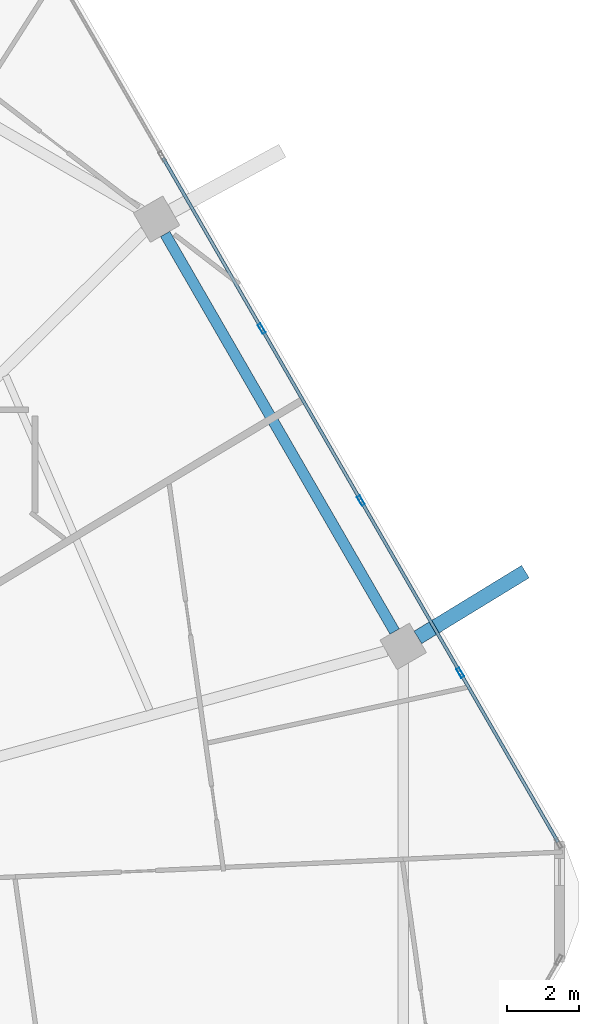
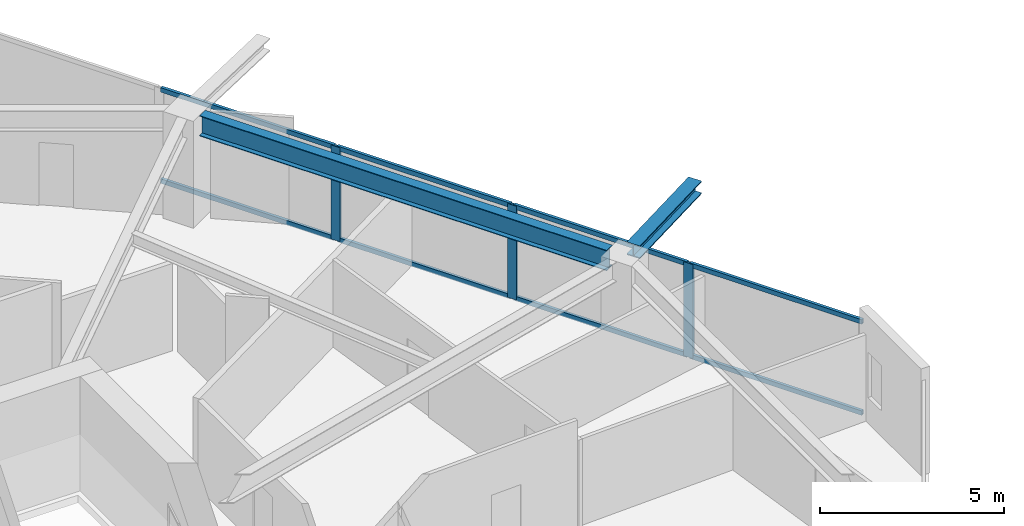
# One storey, part 15 of 25: 11 members, 2 beams, 1 element without a shape of its own.
"""IFC4 building model written with IfcOpenShell, lengths in metres."""

from ifc_helpers import new_model, si_unit, direction, frame, origin, origin_2d, place, context, subcontext, project, spatial, hollow_rectangle, i_section, extrude, material, material_profile, profile_set, type_object, element, aggregate, save


model = new_model("IFC4")

# Units and contexts
model_context = context("Model", 3, precision=1e-05, world=origin(), true_north=direction((0.0, 1.0)))
body_context = subcontext(model_context, "Body", "Model", "MODEL_VIEW")
ifc_project = project(units=[si_unit("LENGTHUNIT", "METRE"), si_unit("AREAUNIT", "SQUARE_METRE"), si_unit("VOLUMEUNIT", "CUBIC_METRE"), si_unit("PLANEANGLEUNIT", "RADIAN"), si_unit("MASSUNIT", "GRAM", prefix="KILO")], contexts=[model_context])

# Site, building, storey
site_placement = place(None, origin())
site = spatial("IfcSite", under=ifc_project, at=site_placement, CompositionType="ELEMENT")
building_placement = place(site_placement, origin())
building = spatial("IfcBuilding", under=site, at=building_placement, Name="Zuhravey Tower", CompositionType="ELEMENT")
storey_placement = place(building_placement, frame((0.0, 0.0, 196.0)))
storey = spatial("IfcBuildingStorey", under=building, at=storey_placement, Name="L49", CompositionType="ELEMENT", Elevation=196.0)

# Curtain wall, members
ifc_material_1 = material(Name="Thermally broken anodised aluminium", Category="aluminium")
curtain_wall_type = type_object("IfcCurtainWallType", Name="Zone 1-2 Residential Curtain Wall CW3", PredefinedType="NOTDEFINED", material=ifc_material_1)
curtain_wall_placement = place(storey_placement, origin())
curtain_wall = element("IfcCurtainWall", 1, at=curtain_wall_placement, inside=storey, type_object=curtain_wall_type, Name="L49 CW3 CW-L49-F1-1", PredefinedType="NOTDEFINED")
ifc_material_2 = material(Name="Anodised aluminium", Category="aluminium")
ifc_material_profile_1 = material_profile(ifc_material_2, hollow_rectangle(XDim=0.090087890625, YDim=0.284912109375, WallThickness=0.0048828125, at=origin_2d()), Name="ALU-RHS-90x285x5")
ifc_profile_set_1 = profile_set([ifc_material_profile_1], Name="Anodised aluminium")
member_type_1 = type_object("IfcMemberType", Name="Curtain-Wall Mullion 90x180", PredefinedType="MULLION", material=ifc_profile_set_1)
member_1_placement = place(storey_placement, frame((58.155029296875, 47.992431640625, 0.0), z_axis=(0.0, 0.0, 1.0), x_axis=(0.866025138215, 0.500000459979, 0.0)))
member_1 = element("IfcMember", 2, at=member_1_placement, type_object=member_type_1, Name="CW3 mullion 3", PredefinedType="MULLION", context=body_context, shape_type="SweptSolid", body=[
    extrude(hollow_rectangle(XDim=0.090087890625, YDim=0.284912109375, WallThickness=0.0048828125, at=origin_2d()), origin(), (0.0, 0.0, 1.0), 3.1220703125),
])
member_2_placement = place(storey_placement, frame((60.92724609375, 43.190673828125, 0.0), z_axis=(0.0, 0.0, 1.0), x_axis=(0.866025138215, 0.500000459979, 0.0)))
member_2 = element("IfcMember", 3, at=member_2_placement, type_object=member_type_1, Name="CW3 mullion 4", PredefinedType="MULLION", context=body_context, shape_type="SweptSolid", body=[
    extrude(hollow_rectangle(XDim=0.090087890625, YDim=0.284912109375, WallThickness=0.0048828125, at=origin_2d()), origin(), (0.0, 0.0, 1.0), 3.1220703125),
])
member_3_placement = place(storey_placement, frame((63.699462890625, 38.38916015625, 0.0), z_axis=(0.0, 0.0, 1.0), x_axis=(0.866025138215, 0.500000459979, 0.0)))
member_3 = element("IfcMember", 4, at=member_3_placement, type_object=member_type_1, Name="CW3 mullion 5", PredefinedType="MULLION", context=body_context, shape_type="SweptSolid", body=[
    extrude(hollow_rectangle(XDim=0.090087890625, YDim=0.284912109375, WallThickness=0.0048828125, at=origin_2d()), origin(), (0.0, 0.0, 1.0), 3.1220703125),
])
ifc_material_profile_2 = material_profile(ifc_material_2, hollow_rectangle(XDim=0.090087890625, YDim=0.14990234375, WallThickness=0.0048828125, at=origin_2d()), Name="ALU-RHS-90x150x5")
ifc_profile_set_2 = profile_set([ifc_material_profile_2], Name="Anodised aluminium")
member_type_2 = type_object("IfcMemberType", Name="Curtain-Wall Transom 90x150", PredefinedType="USERDEFINED", material=ifc_profile_set_2)
member_4_placement = place(storey_placement, frame((55.405517578125, 52.755126953125, 0.044921875), z_axis=(0.49996138257, -0.86604769842, 0.0), x_axis=(0.86604769842, 0.49996138257, 0.0)))
member_4 = element("IfcMember", 5, at=member_4_placement, type_object=member_type_2, Name="CW3 transom 2.1", ObjectType="TRANSOM", PredefinedType="USERDEFINED", context=body_context, shape_type="SweptSolid", body=[
    extrude(hollow_rectangle(XDim=0.090087890625, YDim=0.14990234375, WallThickness=0.0048828125, at=origin_2d()), origin(), (0.0, 0.0, 1.0), 5.45458984375),
])
member_5_placement = place(storey_placement, frame((55.405517578125, 52.755126953125, 3.076904296875), z_axis=(0.49996138257, -0.86604769842, 0.0), x_axis=(0.86604769842, 0.49996138257, 0.0)))
member_5 = element("IfcMember", 6, at=member_5_placement, type_object=member_type_2, Name="CW3 transom 2.2", ObjectType="TRANSOM", PredefinedType="USERDEFINED", context=body_context, shape_type="SweptSolid", body=[
    extrude(hollow_rectangle(XDim=0.090087890625, YDim=0.14990234375, WallThickness=0.0048828125, at=origin_2d()), origin(), (0.0, 0.0, 1.0), 5.45458984375),
])
member_6_placement = place(storey_placement, frame((58.177734375, 47.953369140625, 0.044921875), z_axis=(0.499980763544, -0.866036509673, 0.0), x_axis=(0.866036509673, 0.499980763544, 0.0)))
member_6 = element("IfcMember", 7, at=member_6_placement, type_object=member_type_2, Name="CW3 transom 3.1", ObjectType="TRANSOM", PredefinedType="USERDEFINED", context=body_context, shape_type="SweptSolid", body=[
    extrude(hollow_rectangle(XDim=0.090087890625, YDim=0.14990234375, WallThickness=0.0048828125, at=origin_2d()), origin(), (0.0, 0.0, 1.0), 5.454345703125),
])
member_7_placement = place(storey_placement, frame((58.177734375, 47.953369140625, 3.076904296875), z_axis=(0.499980763544, -0.866036509673, 0.0), x_axis=(0.866036509673, 0.499980763544, 0.0)))
member_7 = element("IfcMember", 8, at=member_7_placement, type_object=member_type_2, Name="CW3 transom 3.2", ObjectType="TRANSOM", PredefinedType="USERDEFINED", context=body_context, shape_type="SweptSolid", body=[
    extrude(hollow_rectangle(XDim=0.090087890625, YDim=0.14990234375, WallThickness=0.0048828125, at=origin_2d()), origin(), (0.0, 0.0, 1.0), 5.454345703125),
])
member_8_placement = place(storey_placement, frame((60.949951171875, 43.15185546875, 0.044921875), z_axis=(0.49996138257, -0.86604769842, 0.0), x_axis=(0.86604769842, 0.49996138257, 0.0)))
member_8 = element("IfcMember", 9, at=member_8_placement, type_object=member_type_2, Name="CW3 transom 4.1", ObjectType="TRANSOM", PredefinedType="USERDEFINED", context=body_context, shape_type="SweptSolid", body=[
    extrude(hollow_rectangle(XDim=0.090087890625, YDim=0.14990234375, WallThickness=0.0048828125, at=origin_2d()), origin(), (0.0, 0.0, 1.0), 5.45458984375),
])
member_9_placement = place(storey_placement, frame((60.949951171875, 43.15185546875, 3.076904296875), z_axis=(0.49996138257, -0.86604769842, 0.0), x_axis=(0.86604769842, 0.49996138257, 0.0)))
member_9 = element("IfcMember", 10, at=member_9_placement, type_object=member_type_2, Name="CW3 transom 4.2", ObjectType="TRANSOM", PredefinedType="USERDEFINED", context=body_context, shape_type="SweptSolid", body=[
    extrude(hollow_rectangle(XDim=0.090087890625, YDim=0.14990234375, WallThickness=0.0048828125, at=origin_2d()), origin(), (0.0, 0.0, 1.0), 5.45458984375),
])
member_10_placement = place(storey_placement, frame((63.72216796875, 38.35009765625, 0.044921875), z_axis=(0.499993332629, -0.866029253159, 0.0), x_axis=(0.866029253159, 0.499993332629, 0.0)))
member_10 = element("IfcMember", 11, at=member_10_placement, type_object=member_type_2, Name="CW3 transom 5.1", ObjectType="TRANSOM", PredefinedType="USERDEFINED", context=body_context, shape_type="SweptSolid", body=[
    extrude(hollow_rectangle(XDim=0.090087890625, YDim=0.14990234375, WallThickness=0.0048828125, at=origin_2d()), origin(), (0.0, 0.0, 1.0), 5.4091796875),
])
member_11_placement = place(storey_placement, frame((63.72216796875, 38.35009765625, 3.076904296875), z_axis=(0.499993332629, -0.866029253159, 0.0), x_axis=(0.866029253159, 0.499993332629, 0.0)))
member_11 = element("IfcMember", 12, at=member_11_placement, type_object=member_type_2, Name="CW3 transom 5.2", ObjectType="TRANSOM", PredefinedType="USERDEFINED", context=body_context, shape_type="SweptSolid", body=[
    extrude(hollow_rectangle(XDim=0.090087890625, YDim=0.14990234375, WallThickness=0.0048828125, at=origin_2d()), origin(), (0.0, 0.0, 1.0), 5.4091796875),
])
aggregate(curtain_wall, [member_1, member_2, member_3, member_4, member_5, member_6, member_7, member_8, member_9, member_10, member_11])

# Beams
ifc_material_3 = material(Name="Steel SM460", Category="steel")
ifc_material_profile_3 = material_profile(ifc_material_3, i_section(OverallWidth=0.406982421875, OverallDepth=0.427978515625, WebThickness=0.02001953125, FlangeThickness=0.034912109375, at=origin_2d()), Name="H-428x407x20x35")
ifc_profile_set_3 = profile_set([ifc_material_profile_3], Name="Steel SM460")
beam_type_1 = type_object("IfcBeamType", Name="Exoskeleton Node Tie Beam H428x407", PredefinedType="BEAM", material=ifc_profile_set_3)
beam_1_placement = place(storey_placement, frame((62.516357421875, 39.37646484375, 3.3359375), z_axis=(0.853163418455, 0.521643730347, 0.0), x_axis=(-0.521643730347, 0.853163418455, 0.0)))
element("IfcBeam", 13, at=beam_1_placement, inside=storey, type_object=beam_type_1, Name="L49 Exoskeleton Node Tie NT1-01", PredefinedType="BEAM", context=body_context, shape_type="SweptSolid", body=[
    extrude(i_section(OverallWidth=0.406982421875, OverallDepth=0.427978515625, WebThickness=0.02001953125, FlangeThickness=0.034912109375, at=origin_2d()), origin(), (0.0, 0.0, 1.0), 3.51708984375),
])
ifc_material_4 = material(Name="Steel SM355", Category="steel")
ifc_material_profile_4 = material_profile(ifc_material_4, i_section(OverallWidth=0.300048828125, OverallDepth=0.679931640625, WebThickness=0.012939453125, FlangeThickness=0.02197265625, at=origin_2d()), Name="H-680x300x13x22")
ifc_profile_set_4 = profile_set([ifc_material_profile_4], Name="Steel SM355")
beam_type_2 = type_object("IfcBeamType", Name="Perimeter Ring Beam H680x300", PredefinedType="BEAM", material=ifc_profile_set_4)
beam_2_placement = place(storey_placement, frame((61.86865234375, 39.54052734375, 3.2099609375), z_axis=(-0.500003505699, 0.866023379758, 0.0), x_axis=(-0.866023379758, -0.500003505699, 0.0)))
element("IfcBeam", 14, at=beam_2_placement, inside=storey, type_object=beam_type_2, Name="L49 PB2 BM-L49-PB-01", PredefinedType="BEAM", context=body_context, shape_type="SweptSolid", body=[
    extrude(i_section(OverallWidth=0.300048828125, OverallDepth=0.679931640625, WebThickness=0.012939453125, FlangeThickness=0.02197265625, at=origin_2d()), origin(), (0.0, 0.0, 1.0), 12.80810546875),
])

save(model, "model.ifc")
